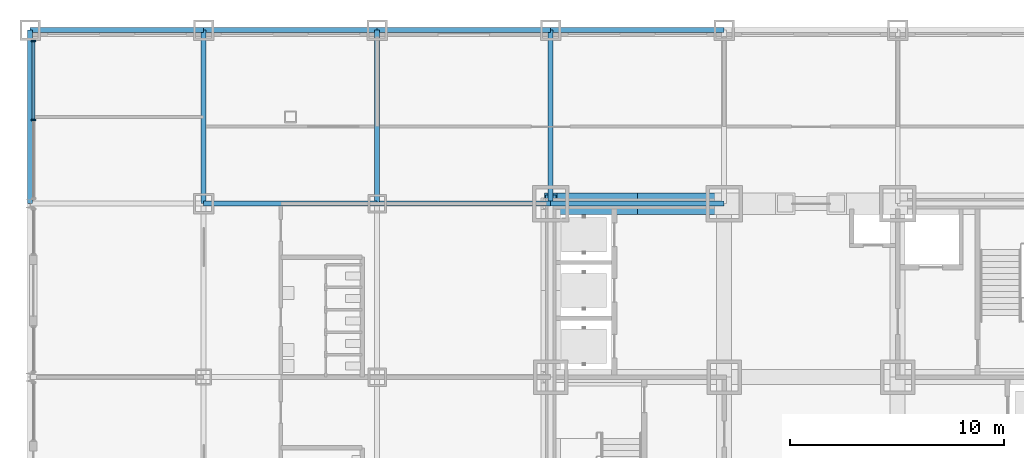
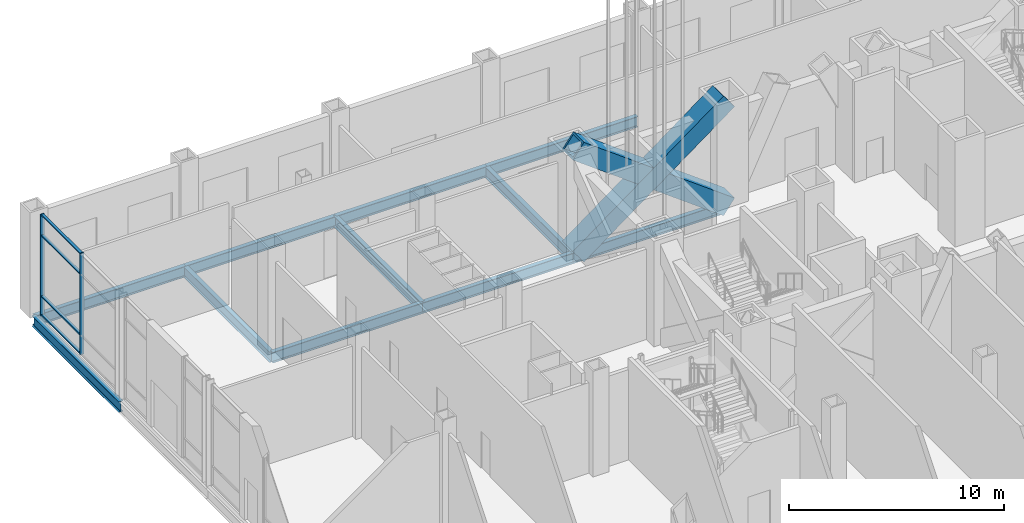
# One storey, part 15 of 35: 11 beams, 8 members, 1 element without a shape of its own.
"""IFC4 building model written with IfcOpenShell, lengths in metres."""

from ifc_helpers import new_model, si_unit, direction, frame, origin, origin_2d, place, context, subcontext, project, spatial, rectangle, hollow_rectangle, i_section, extrude, material, material_profile, profile_set, type_object, element, aggregate, save


model = new_model("IFC4")

# Units and contexts
model_context = context("Model", 3, precision=1e-05, world=origin(), true_north=direction((0.0, 1.0)))
body_context = subcontext(model_context, "Body", "Model", "MODEL_VIEW")
ifc_project = project(units=[si_unit("LENGTHUNIT", "METRE"), si_unit("AREAUNIT", "SQUARE_METRE"), si_unit("VOLUMEUNIT", "CUBIC_METRE"), si_unit("PLANEANGLEUNIT", "RADIAN"), si_unit("MASSUNIT", "GRAM", prefix="KILO")], contexts=[model_context])

# Site, building, storey
site_placement = place(None, origin())
site = spatial("IfcSite", under=ifc_project, at=site_placement, CompositionType="ELEMENT")
building_placement = place(site_placement, origin())
building = spatial("IfcBuilding", under=site, at=building_placement, Name="Kopane Lantern Tower", CompositionType="ELEMENT")
storey_placement = place(building_placement, origin())
storey = spatial("IfcBuildingStorey", under=building, at=storey_placement, Name="L00", CompositionType="ELEMENT", Elevation=0.0)

# Members
ifc_material_1 = material(Name="Steel S355JR", Category="steel")
ifc_material_profile_1 = material_profile(ifc_material_1, hollow_rectangle(XDim=1.0, YDim=1.0, WallThickness=0.10009765625, at=origin_2d()), Name="BOX 1000x1000x100")
ifc_profile_set_1 = profile_set([ifc_material_profile_1], Name="Steel S355JR")
member_type_1 = type_object("IfcMemberType", Name="BRACE BOX 1000x1000x100", PredefinedType="BRACE", material=ifc_profile_set_1)
for number, where, z_axis, x_axis, name in (
    (1, (16.199951171875, 40.5, -0.25), (0.803560625704, 0.0, 0.595222916912), (0.0, 1.0, 0.0), "Core brace L00"),
    (2, (24.300048828125, 40.5, -0.25), (-0.803560625704, 0.0, 0.595222916912), (0.0, -1.0, 0.0), "Core brace L00"),
):
    element("IfcMember", number, at=place(storey_placement, frame(where, z_axis=z_axis, x_axis=x_axis)), inside=storey, type_object=member_type_1, Name=name, PredefinedType="BRACE", context=body_context, shape_type="SweptSolid", body=[
        extrude(hollow_rectangle(XDim=1.0, YDim=1.0, WallThickness=0.10009765625, at=origin_2d()), origin(), (0.0, 0.0, 1.0), 10.080322265625),
    ])

# Beams
ifc_material_2 = material(Name="Steel S355JR", Category="steel")
ifc_material_profile_2 = material_profile(ifc_material_2, i_section(OverallWidth=0.22900390625, OverallDepth=0.6123046875, WebThickness=0.011962890625, FlangeThickness=0.01953125, FilletRadius=0.0126953125, at=origin_2d()), Name="UB 610x229x125")
ifc_profile_set_2 = profile_set([ifc_material_profile_2], Name="Steel S355JR")
beam_type = type_object("IfcBeamType", Name="GIRDER UB 610x229x125", PredefinedType="BEAM", material=ifc_profile_set_2)
for number, where, z_axis, x_axis, name in (
    (3, (-8.10009765625, 40.5, -0.55615234375), (0.0, 1.0, 0.0), (-1.0, 0.0, 0.0), "Girder L00"),
    (4, (-8.10009765625, 48.60009765625, -0.55615234375), (1.0, 0.0, 0.0), (0.0, 1.0, 0.0), "Girder L00"),
    (5, (0.0, 40.5, -0.55615234375), (0.0, 1.0, 0.0), (-1.0, 0.0, 0.0), "Girder L00"),
    (6, (0.0, 40.5, -0.55615234375), (1.0, 0.0, 0.0), (0.0, 1.0, 0.0), "Girder L00"),
    (7, (0.0, 48.60009765625, -0.55615234375), (1.0, 0.0, 0.0), (0.0, 1.0, 0.0), "Girder L00"),
    (8, (8.10009765625, 40.5, -0.55615234375), (0.0, 1.0, 0.0), (-1.0, 0.0, 0.0), "Girder L00"),
):
    element("IfcBeam", number, at=place(storey_placement, frame(where, z_axis=z_axis, x_axis=x_axis)), inside=storey, type_object=beam_type, Name=name, PredefinedType="BEAM", context=body_context, shape_type="SweptSolid", body=[
        extrude(i_section(OverallWidth=0.22900390625, OverallDepth=0.6123046875, WebThickness=0.011962890625, FlangeThickness=0.01953125, FilletRadius=0.0126953125, at=origin_2d()), origin(), (0.0, 0.0, 1.0), 8.10009765625),
    ])
for number, where, z_axis, x_axis, name in (
    (9, (8.10009765625, 40.5, -0.55615234375), (1.0, 0.0, 0.0), (0.0, 1.0, 0.0), "Girder L00"),
    (10, (8.10009765625, 48.60009765625, -0.55615234375), (1.0, 0.0, 0.0), (0.0, 1.0, 0.0), "Girder L00"),
):
    element("IfcBeam", number, at=place(storey_placement, frame(where, z_axis=z_axis, x_axis=x_axis)), inside=storey, type_object=beam_type, Name=name, PredefinedType="BEAM", context=body_context, shape_type="SweptSolid", body=[
        extrude(i_section(OverallWidth=0.22900390625, OverallDepth=0.6123046875, WebThickness=0.011962890625, FlangeThickness=0.01953125, FilletRadius=0.0126953125, at=origin_2d()), origin(), (0.0, 0.0, 1.0), 8.099853515625),
    ])
for number, where, z_axis, x_axis, name in (
    (11, (16.199951171875, 40.5, -0.55615234375), (0.0, 1.0, 0.0), (-1.0, 0.0, 0.0), "Girder L00"),
    (12, (16.199951171875, 40.5, -0.55615234375), (1.0, 0.0, 0.0), (0.0, 1.0, 0.0), "Girder L00"),
    (13, (16.199951171875, 48.60009765625, -0.55615234375), (1.0, 0.0, 0.0), (0.0, 1.0, 0.0), "Girder L00"),
):
    element("IfcBeam", number, at=place(storey_placement, frame(where, z_axis=z_axis, x_axis=x_axis)), inside=storey, type_object=beam_type, Name=name, PredefinedType="BEAM", context=body_context, shape_type="SweptSolid", body=[
        extrude(i_section(OverallWidth=0.22900390625, OverallDepth=0.6123046875, WebThickness=0.011962890625, FlangeThickness=0.01953125, FilletRadius=0.0126953125, at=origin_2d()), origin(), (0.0, 0.0, 1.0), 8.10009765625),
    ])

# Curtain wall, members
ifc_material_3 = material(Name="Aluminium and clear glass", Category="aluminium")
curtain_wall_type = type_object("IfcCurtainWallType", Name="CURTAIN WALL CW1 PODIUM STOREFRONT", PredefinedType="USERDEFINED", material=ifc_material_3)
curtain_wall_placement = place(storey_placement, origin())
curtain_wall = element("IfcCurtainWall", 14, at=curtain_wall_placement, inside=storey, type_object=curtain_wall_type, Name="Curtain wall CW1 W L00", ObjectType="CURTAIN WALL", PredefinedType="USERDEFINED")
ifc_material_4 = material(Name="Aluminium", Category="aluminium")
ifc_material_profile_3 = material_profile(ifc_material_4, rectangle(XDim=0.06494140625, YDim=0.199951171875, at=origin_2d()), Name="AL 65x200")
ifc_profile_set_3 = profile_set([ifc_material_profile_3], Name="Aluminium")
member_type_2 = type_object("IfcMemberType", Name="MULLION CW1-M 65x200", PredefinedType="MULLION", material=ifc_profile_set_3)
member_1_placement = place(storey_placement, frame((-7.949951171875, 48.08740234375, 0.0), z_axis=(0.0, 0.0, 1.0), x_axis=(0.0, -1.0, 0.0)))
member_1 = element("IfcMember", 15, at=member_1_placement, type_object=member_type_2, Name="CW1 mullion 1", PredefinedType="MULLION", context=body_context, shape_type="SweptSolid", body=[
    extrude(rectangle(XDim=0.06494140625, YDim=0.199951171875, at=origin_2d()), origin(), (0.0, 0.0, 1.0), 5.75),
])
member_2_placement = place(storey_placement, frame((-7.949951171875, 44.4140625, 0.0), z_axis=(0.0, 0.0, 1.0), x_axis=(0.0, -1.0, 0.0)))
member_2 = element("IfcMember", 16, at=member_2_placement, type_object=member_type_2, Name="CW1 mullion 2", PredefinedType="MULLION", context=body_context, shape_type="SweptSolid", body=[
    extrude(rectangle(XDim=0.06494140625, YDim=0.199951171875, at=origin_2d()), origin(), (0.0, 0.0, 1.0), 5.75),
])
ifc_material_5 = material(Name="Aluminium", Category="aluminium")
ifc_material_profile_4 = material_profile(ifc_material_5, rectangle(XDim=0.14990234375, YDim=0.06494140625, at=origin_2d()), Name="AL 150x65")
ifc_profile_set_4 = profile_set([ifc_material_profile_4], Name="Aluminium")
member_type_3 = type_object("IfcMemberType", Name="TRANSOM CW1-T 65x150", PredefinedType="USERDEFINED", material=ifc_profile_set_4)
member_3_placement = place(storey_placement, frame((-7.949951171875, 48.054931640625, 0.032470703125), z_axis=(0.0, -1.0, 0.0), x_axis=(1.0, 0.0, 0.0)))
member_3 = element("IfcMember", 17, at=member_3_placement, type_object=member_type_3, Name="CW1 transom 1.1", ObjectType="TRANSOM", PredefinedType="USERDEFINED", context=body_context, shape_type="SweptSolid", body=[
    extrude(rectangle(XDim=0.14990234375, YDim=0.06494140625, at=origin_2d()), origin(), (0.0, 0.0, 1.0), 3.6083984375),
])
member_4_placement = place(storey_placement, frame((-7.949951171875, 48.054931640625, 1.10009765625), z_axis=(0.0, -1.0, 0.0), x_axis=(1.0, 0.0, 0.0)))
member_4 = element("IfcMember", 18, at=member_4_placement, type_object=member_type_3, Name="CW1 transom 1.2", ObjectType="TRANSOM", PredefinedType="USERDEFINED", context=body_context, shape_type="SweptSolid", body=[
    extrude(rectangle(XDim=0.14990234375, YDim=0.06494140625, at=origin_2d()), origin(), (0.0, 0.0, 1.0), 3.6083984375),
])
member_5_placement = place(storey_placement, frame((-7.949951171875, 48.054931640625, 4.550048828125), z_axis=(0.0, -1.0, 0.0), x_axis=(1.0, 0.0, 0.0)))
member_5 = element("IfcMember", 19, at=member_5_placement, type_object=member_type_3, Name="CW1 transom 1.3", ObjectType="TRANSOM", PredefinedType="USERDEFINED", context=body_context, shape_type="SweptSolid", body=[
    extrude(rectangle(XDim=0.14990234375, YDim=0.06494140625, at=origin_2d()), origin(), (0.0, 0.0, 1.0), 3.6083984375),
])
member_6_placement = place(storey_placement, frame((-7.949951171875, 48.054931640625, 5.717529296875), z_axis=(0.0, -1.0, 0.0), x_axis=(1.0, 0.0, 0.0)))
member_6 = element("IfcMember", 20, at=member_6_placement, type_object=member_type_3, Name="CW1 transom 1.4", ObjectType="TRANSOM", PredefinedType="USERDEFINED", context=body_context, shape_type="SweptSolid", body=[
    extrude(rectangle(XDim=0.14990234375, YDim=0.06494140625, at=origin_2d()), origin(), (0.0, 0.0, 1.0), 3.6083984375),
])
aggregate(curtain_wall, [member_1, member_2, member_3, member_4, member_5, member_6])

save(model, "model.ifc")
